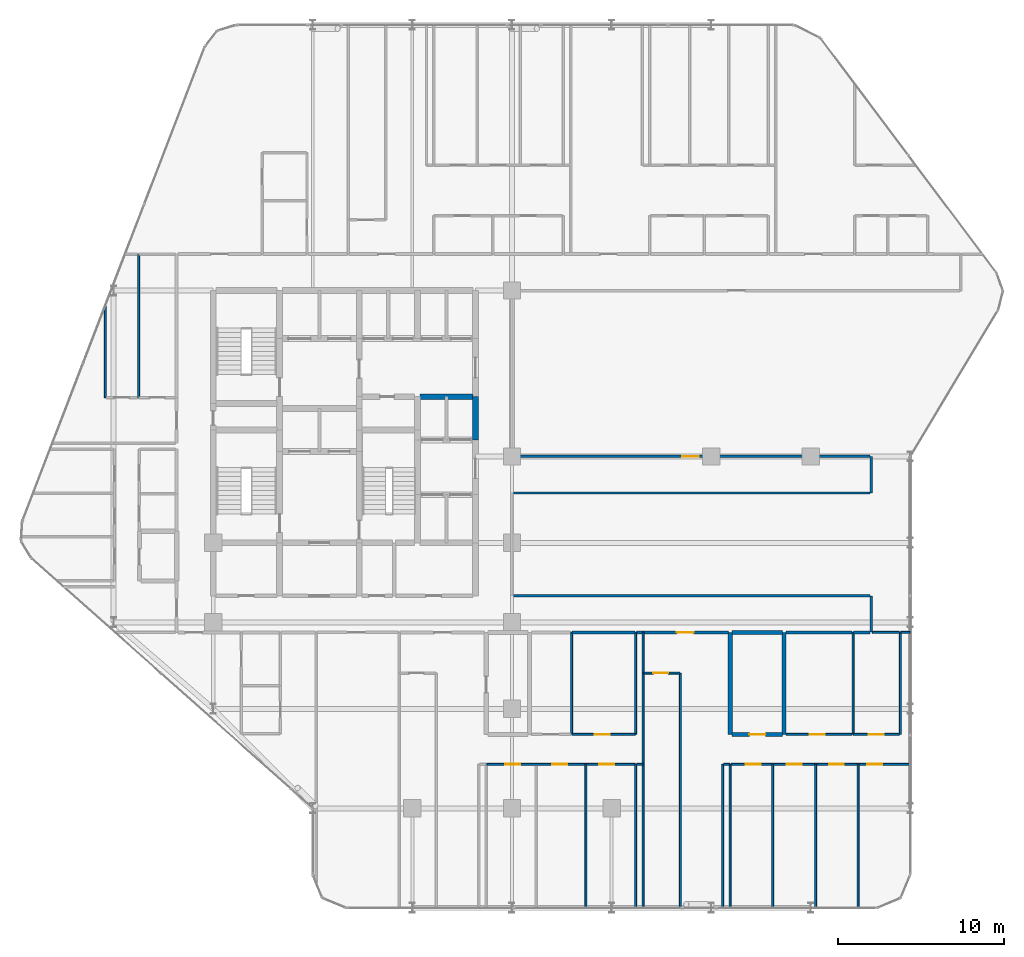
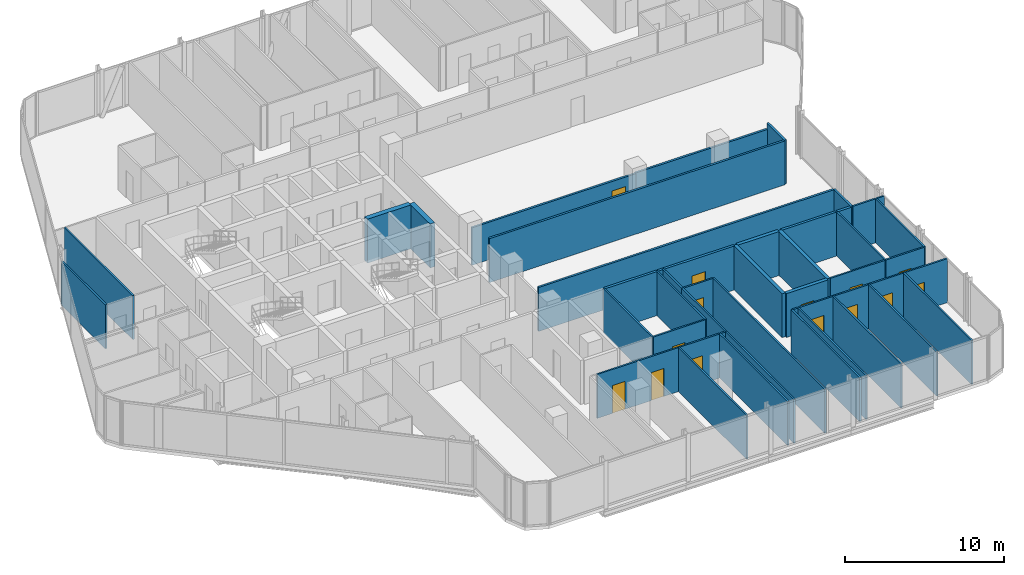
# One storey, part 25 of 29: 43 walls, 14 doors, 14 openings.
"""IFC4 building model written with IfcOpenShell, lengths in metres."""

from ifc_helpers import new_model, si_unit, direction, frame, frame_2d, origin, place, context, subcontext, project, spatial, rectangle, extrude, material, layer, layer_set, type_object, element, fill, save


model = new_model("IFC4")

# Units and contexts
model_context = context("Model", 3, precision=1e-05, world=origin(), true_north=direction((0.0, 1.0)))
body_context = subcontext(model_context, "Body", "Model", "MODEL_VIEW")
ifc_project = project(units=[si_unit("LENGTHUNIT", "METRE"), si_unit("AREAUNIT", "SQUARE_METRE"), si_unit("VOLUMEUNIT", "CUBIC_METRE"), si_unit("PLANEANGLEUNIT", "RADIAN"), si_unit("MASSUNIT", "GRAM", prefix="KILO")], contexts=[model_context])

# Site, building, storey
site_placement = place(None, origin())
site = spatial("IfcSite", under=ifc_project, at=site_placement, CompositionType="ELEMENT")
building_placement = place(site_placement, origin())
building = spatial("IfcBuilding", under=site, at=building_placement, Name="Keshet Zoharim Tower", CompositionType="ELEMENT")
storey_placement = place(building_placement, frame((0.0, 0.0, 105.699951171875)))
storey = spatial("IfcBuildingStorey", under=building, at=storey_placement, Name="L25", CompositionType="ELEMENT", Elevation=105.699951171875)

# Walls
ifc_material_1 = material(Name="Gypsum Plasterboard", Category="gypsum")
ifc_layer_1 = layer(ifc_material_1, 0.14990234375)
ifc_layer_set_1 = layer_set([ifc_layer_1], Name="Gypsum Plasterboard")
wall_type_1 = type_object("IfcWallType", Name="WL-CLIN-150", PredefinedType="STANDARD", material=ifc_layer_set_1)
wall_1_placement = place(storey_placement, frame((54.64990234375, 17.31005859375, 0.0), z_axis=(0.0, 0.0, 1.0), x_axis=(0.0, 1.0, 0.0)))
element("IfcWall", 1, at=wall_1_placement, inside=storey, type_object=wall_type_1, Name="L25 Interior Wall 105", PredefinedType="STANDARD", context=body_context, shape_type="SweptSolid", body=[
    extrude(rectangle(XDim=2.18994140625, YDim=0.14990234375, at=frame_2d((1.094970703125, 0.0))), origin(), (0.0, 0.0, 1.0), 3.385009765625),
])
wall_2_placement = place(storey_placement, frame((54.64990234375, 25.699951171875, 0.0), z_axis=(0.0, 0.0, 1.0), x_axis=(0.0, 1.0, 0.0)))
element("IfcWall", 2, at=wall_2_placement, inside=storey, type_object=wall_type_1, Name="L25 Interior Wall 106", PredefinedType="STANDARD", context=body_context, shape_type="SweptSolid", body=[
    extrude(rectangle(XDim=2.199951171875, YDim=0.14990234375, at=frame_2d((1.10009765625, 0.0))), origin(), (0.0, 0.0, 1.0), 3.385009765625),
])
for number, where, z_axis, x_axis, name in (
    (3, (33.070068359375, 19.5, 0.0), (0.0, 0.0, 1.0), (1.0, 0.0, 0.0), "L25 Interior Wall 145"),
    (4, (33.070068359375, 25.699951171875, 0.0), (0.0, 0.0, 1.0), (1.0, 0.0, 0.0), "L25 Interior Wall 159"),
):
    element("IfcWall", number, at=place(storey_placement, frame(where, z_axis=z_axis, x_axis=x_axis)), inside=storey, type_object=wall_type_1, Name=name, PredefinedType="STANDARD", context=body_context, shape_type="SweptSolid", body=[
        extrude(rectangle(XDim=21.510009765625, YDim=0.14990234375, at=frame_2d((10.7548828125, 0.0))), origin(), (0.0, 0.0, 1.0), 3.385009765625),
    ])

# Wall, opening, door
wall_3_placement = place(storey_placement, frame((33.070068359375, 27.89990234375, 0.0), z_axis=(0.0, 0.0, 1.0), x_axis=(1.0, 0.0, 0.0)))
wall_3 = element("IfcWall", 5, at=wall_3_placement, inside=storey, type_object=wall_type_1, Name="L25 Interior Wall 160", PredefinedType="STANDARD", context=body_context, shape_type="SweptSolid", body=[
    extrude(rectangle(XDim=11.929931640625, YDim=0.14990234375, at=frame_2d((5.96484375, 0.0))), origin(), (0.0, 0.0, 1.0), 2.885009765625),
])
opening_1_placement = place(wall_3_placement, frame((10.18505859375, 0.0, 0.0)))
opening_1 = element("IfcOpeningElement", 6, at=opening_1_placement, cuts=wall_3, Name="Opening D-F310", PredefinedType="OPENING", context=body_context, shape_type="SweptSolid", body=[
    extrude(rectangle(XDim=1.0, YDim=2.14990234375, at=frame_2d((0.5, 1.074951171875))), frame((0.0, 0.0849609375, 0.0), z_axis=(0.0, -1.0, 0.0), x_axis=(1.0, 0.0, 0.0)), (0.0, 0.0, 1.0), 0.169921875),
])
ifc_material_2 = material(Name="Hardwood Timber", Category="wood")
door_type_1 = type_object("IfcDoorType", Name="DR-FD30-100", OperationType="NOTDEFINED", PredefinedType="DOOR", material=ifc_material_2)
door_1_placement = place(opening_1_placement, origin())
door_1 = element("IfcDoor", 7, at=door_1_placement, inside=storey, type_object=door_type_1, Name="L25 North East Residents Services Suite Door 2", OperationType="SINGLE_SWING_LEFT", OverallHeight=2.14990234375, OverallWidth=1.0, PredefinedType="DOOR", context=body_context, shape_type="SweptSolid", body=[
    extrude(rectangle(XDim=1.0, YDim=2.14990234375, at=frame_2d((0.5, 1.074951171875))), frame((0.0, 0.02490234375, 0.0), z_axis=(0.0, -1.0, 0.0), x_axis=(1.0, 0.0, 0.0)), (0.0, 0.0, 1.0), 0.050048828125),
])
fill(opening_1, door_1)

# Walls
wall_4_placement = place(storey_placement, frame((45.0, 27.89990234375, 0.0), z_axis=(0.0, 0.0, 1.0), x_axis=(1.0, 0.0, 0.0)))
element("IfcWall", 8, at=wall_4_placement, inside=storey, type_object=wall_type_1, Name="L25 Interior Wall 160 Part 2", PredefinedType="STANDARD", context=body_context, shape_type="SweptSolid", body=[
    extrude(rectangle(XDim=9.580078125, YDim=0.14990234375, at=frame_2d((4.7900390625, 0.0))), origin(), (0.0, 0.0, 1.0), 2.93505859375),
])
ifc_material_3 = material(Name="Concrete C60/75", Category="concrete")
ifc_layer_2 = layer(ifc_material_3, 0.35009765625)
ifc_layer_set_2 = layer_set([ifc_layer_2], Name="Concrete C60/75")
wall_type_2 = type_object("IfcWallType", Name="WL-CORE-350", PredefinedType="SHEAR", material=ifc_layer_set_2)
wall_5_placement = place(storey_placement, frame((30.800048828125, 28.89990234375, 0.0), z_axis=(0.0, 0.0, 1.0), x_axis=(0.0, 1.0, 0.0)))
element("IfcWall", 9, at=wall_5_placement, inside=storey, type_object=wall_type_2, Name="L25 Core Shear Wall 062", PredefinedType="SHEAR", context=body_context, shape_type="SweptSolid", body=[
    extrude(rectangle(XDim=2.60009765625, YDim=0.35009765625, at=frame_2d((1.300048828125, 0.0))), origin(), (0.0, 0.0, 1.0), 3.385009765625),
])
wall_6_placement = place(storey_placement, frame((27.4599609375, 31.5, 0.0), z_axis=(0.0, 0.0, 1.0), x_axis=(1.0, 0.0, 0.0)))
element("IfcWall", 10, at=wall_6_placement, inside=storey, type_object=wall_type_2, Name="L25 Core Shear Wall 174", PredefinedType="SHEAR", context=body_context, shape_type="SweptSolid", body=[
    extrude(rectangle(XDim=3.179931640625, YDim=0.35009765625, at=frame_2d((1.58984375, 0.0))), origin(), (0.0, 0.0, 1.0), 3.385009765625),
])
ifc_layer_3 = layer(ifc_material_1, 0.179931640625)
ifc_layer_set_3 = layer_set([ifc_layer_3], Name="Gypsum Plasterboard")
wall_type_3 = type_object("IfcWallType", Name="WL-CORR-180", PredefinedType="STANDARD", material=ifc_layer_set_3)
wall_7_placement = place(storey_placement, frame((36.631103515625, 17.300048828125, 0.0), z_axis=(0.0, 0.0, 1.0), x_axis=(1.0, 0.0, 0.0)))
element("IfcWall", 11, at=wall_7_placement, inside=storey, type_object=wall_type_3, Name="L25 Interior Wall 134", PredefinedType="STANDARD", context=body_context, shape_type="SweptSolid", body=[
    extrude(rectangle(XDim=3.783935546875, YDim=0.179931640625, at=frame_2d((1.89208984375, 0.0))), origin(), (0.0, 0.0, 1.0), 3.385009765625),
])

# Wall, opening, door
wall_8_placement = place(storey_placement, frame((40.5048828125, 17.300048828125, 0.0), z_axis=(0.0, 0.0, 1.0), x_axis=(1.0, 0.0, 0.0)))
wall_8 = element("IfcWall", 12, at=wall_8_placement, inside=storey, type_object=wall_type_3, Name="L25 Interior Wall 135", PredefinedType="STANDARD", context=body_context, shape_type="SweptSolid", body=[
    extrude(rectangle(XDim=5.545166015625, YDim=0.179931640625, at=frame_2d((2.7724609375, 0.0))), origin(), (0.0, 0.0, 1.0), 3.385009765625),
])
opening_2_placement = place(wall_8_placement, frame((2.43505859375, 0.0, 0.0)))
opening_2 = element("IfcOpeningElement", 13, at=opening_2_placement, cuts=wall_8, Name="Opening D-F310", PredefinedType="OPENING", context=body_context, shape_type="SweptSolid", body=[
    extrude(rectangle(XDim=1.0, YDim=2.14990234375, at=frame_2d((0.5, 1.074951171875))), frame((0.0, 0.10009765625, 0.0), z_axis=(0.0, -1.0, 0.0), x_axis=(1.0, 0.0, 0.0)), (0.0, 0.0, 1.0), 0.199951171875),
])
door_2_placement = place(opening_2_placement, origin())
door_2 = element("IfcDoor", 14, at=door_2_placement, inside=storey, type_object=door_type_1, Name="Apartment 2503 Entrance Door", OperationType="SINGLE_SWING_LEFT", OverallHeight=2.14990234375, OverallWidth=1.0, PredefinedType="DOOR", context=body_context, shape_type="SweptSolid", body=[
    extrude(rectangle(XDim=1.0, YDim=2.14990234375, at=frame_2d((0.5, 1.074951171875))), frame((0.0, 0.02490234375, 0.0), z_axis=(0.0, -1.0, 0.0), x_axis=(1.0, 0.0, 0.0)), (0.0, 0.0, 1.0), 0.050048828125),
])
fill(opening_2, door_2)

# Walls
wall_9_placement = place(storey_placement, frame((49.52294921875, 17.300048828125, 0.0), z_axis=(0.0, 0.0, 1.0), x_axis=(1.0, 0.0, 0.0)))
element("IfcWall", 15, at=wall_9_placement, inside=storey, type_object=wall_type_3, Name="L25 Interior Wall 137", PredefinedType="STANDARD", context=body_context, shape_type="SweptSolid", body=[
    extrude(rectangle(XDim=3.9580078125, YDim=0.179931640625, at=frame_2d((1.97900390625, 0.0))), origin(), (0.0, 0.0, 1.0), 3.385009765625),
])
wall_10_placement = place(storey_placement, frame((53.571044921875, 17.300048828125, 0.0), z_axis=(0.0, 0.0, 1.0), x_axis=(1.0, 0.0, 0.0)))
element("IfcWall", 16, at=wall_10_placement, inside=storey, type_object=wall_type_3, Name="L25 Interior Wall 138", PredefinedType="STANDARD", context=body_context, shape_type="SweptSolid", body=[
    extrude(rectangle(XDim=1.009033203125, YDim=0.179931640625, at=frame_2d((0.50439453125, 0.0))), origin(), (0.0, 0.0, 1.0), 3.385009765625),
])
ifc_material_4 = material(Name="Concrete C50/60", Category="concrete")
ifc_layer_4 = layer(ifc_material_4, 0.25)
ifc_layer_set_4 = layer_set([ifc_layer_4], Name="Concrete C50/60")
wall_type_4 = type_object("IfcWallType", Name="WL-MAMAD-250", PredefinedType="STANDARD", material=ifc_layer_set_4)
for number, where, z_axis, x_axis, name in (
    (17, (46.14990234375, 11.14990234375, 0.0), (0.0, 0.0, 1.0), (0.0, 1.0, 0.0), "L25 Interior Wall 094"),
    (18, (49.39990234375, 11.14990234375, 0.0), (0.0, 0.0, 1.0), (0.0, 1.0, 0.0), "L25 Interior Wall 099"),
):
    element("IfcWall", number, at=place(storey_placement, frame(where, z_axis=z_axis, x_axis=x_axis)), inside=storey, type_object=wall_type_4, Name=name, PredefinedType="STANDARD", context=body_context, shape_type="SweptSolid", body=[
        extrude(rectangle(XDim=6.150146484375, YDim=0.25, at=frame_2d((3.0751953125, 0.0))), origin(), (0.0, 0.0, 1.0), 3.385009765625),
    ])

# Wall, opening, door
wall_11_placement = place(storey_placement, frame((46.27001953125, 11.14990234375, 0.0), z_axis=(0.0, 0.0, 1.0), x_axis=(1.0, 0.0, 0.0)))
wall_11 = element("IfcWall", 19, at=wall_11_placement, inside=storey, type_object=wall_type_4, Name="L25 Interior Wall 119", PredefinedType="STANDARD", context=body_context, shape_type="SweptSolid", body=[
    extrude(rectangle(XDim=3.032958984375, YDim=0.25, at=frame_2d((1.5166015625, 0.0))), origin(), (0.0, 0.0, 1.0), 3.385009765625),
])
opening_3_placement = place(wall_11_placement, frame((1.041015625, 0.0, 0.0)))
opening_3 = element("IfcOpeningElement", 20, at=opening_3_placement, cuts=wall_11, Name="Opening D-F695", PredefinedType="OPENING", context=body_context, shape_type="SweptSolid", body=[
    extrude(rectangle(XDim=0.949951171875, YDim=2.14990234375, at=frame_2d((0.47509765625, 1.074951171875))), frame((0.0, 0.135009765625, 0.0), z_axis=(0.0, -1.0, 0.0), x_axis=(1.0, 0.0, 0.0)), (0.0, 0.0, 1.0), 0.27001953125),
])
door_type_2 = type_object("IfcDoorType", Name="DR-FD60-095", OperationType="NOTDEFINED", PredefinedType="DOOR", material=ifc_material_2)
door_3_placement = place(opening_3_placement, origin())
door_3 = element("IfcDoor", 21, at=door_3_placement, inside=storey, type_object=door_type_2, Name="Apartment 2503 Study and Shelter Room Door", OperationType="SINGLE_SWING_LEFT", OverallHeight=2.14990234375, OverallWidth=0.949951171875, PredefinedType="DOOR", context=body_context, shape_type="SweptSolid", body=[
    extrude(rectangle(XDim=0.949951171875, YDim=2.14990234375, at=frame_2d((0.47509765625, 1.074951171875))), frame((0.0, 0.02490234375, 0.0), z_axis=(0.0, -1.0, 0.0), x_axis=(1.0, 0.0, 0.0)), (0.0, 0.0, 1.0), 0.050048828125),
])
fill(opening_3, door_3)

# Walls
wall_12_placement = place(storey_placement, frame((46.27001953125, 17.300048828125, 0.0), z_axis=(0.0, 0.0, 1.0), x_axis=(1.0, 0.0, 0.0)))
element("IfcWall", 22, at=wall_12_placement, inside=storey, type_object=wall_type_4, Name="L25 Interior Wall 136", PredefinedType="STANDARD", context=body_context, shape_type="SweptSolid", body=[
    extrude(rectangle(XDim=3.032958984375, YDim=0.25, at=frame_2d((1.5166015625, 0.0))), origin(), (0.0, 0.0, 1.0), 3.385009765625),
])
ifc_layer_5 = layer(ifc_material_1, 0.1201171875)
ifc_layer_set_5 = layer_set([ifc_layer_5], Name="Gypsum Plasterboard")
wall_type_5 = type_object("IfcWallType", Name="WL-PART-120", PredefinedType="PARTITIONING", material=ifc_layer_set_5)
wall_13_placement = place(storey_placement, frame((8.5, 31.449951171875, 0.0), z_axis=(0.0, 0.0, 1.0), x_axis=(0.0, 1.0, 0.0)))
element("IfcWall", 23, at=wall_13_placement, inside=storey, type_object=wall_type_5, Name="L25 Interior Wall 001", PredefinedType="PARTITIONING", context=body_context, shape_type="SweptSolid", body=[
    extrude(rectangle(XDim=5.5400390625, YDim=0.1201171875, at=frame_2d((2.77001953125, 0.0))), origin(), (0.0, 0.0, 1.0), 3.385009765625),
])
for number, where, z_axis, x_axis, name in (
    (24, (37.449951171875, 0.7099609375, 0.0), (0.0, 0.0, 1.0), (0.0, 1.0, 0.0), "L25 Interior Wall 079"),
    (25, (40.449951171875, 0.7099609375, 0.0), (0.0, 0.0, 1.0), (0.0, 1.0, 0.0), "L25 Interior Wall 080"),
):
    element("IfcWall", number, at=place(storey_placement, frame(where, z_axis=z_axis, x_axis=x_axis)), inside=storey, type_object=wall_type_5, Name=name, PredefinedType="PARTITIONING", context=body_context, shape_type="SweptSolid", body=[
        extrude(rectangle(XDim=8.64013671875, YDim=0.1201171875, at=frame_2d((4.320068359375, 0.0))), origin(), (0.0, 0.0, 1.0), 3.385009765625),
    ])
wall_14_placement = place(storey_placement, frame((40.449951171875, 11.14990234375, 0.0), z_axis=(0.0, 0.0, 1.0), x_axis=(0.0, 1.0, 0.0)))
element("IfcWall", 26, at=wall_14_placement, inside=storey, type_object=wall_type_5, Name="L25 Interior Wall 081", PredefinedType="PARTITIONING", context=body_context, shape_type="SweptSolid", body=[
    extrude(rectangle(XDim=6.150146484375, YDim=0.1201171875, at=frame_2d((3.0751953125, 0.0))), origin(), (0.0, 0.0, 1.0), 3.385009765625),
])
wall_15_placement = place(storey_placement, frame((40.89990234375, 0.7099609375, 0.0), z_axis=(0.0, 0.0, 1.0), x_axis=(0.0, 1.0, 0.0)))
element("IfcWall", 27, at=wall_15_placement, inside=storey, type_object=wall_type_5, Name="L25 Interior Wall 083", PredefinedType="PARTITIONING", context=body_context, shape_type="SweptSolid", body=[
    extrude(rectangle(XDim=8.64013671875, YDim=0.1201171875, at=frame_2d((4.320068359375, 0.0))), origin(), (0.0, 0.0, 1.0), 3.385009765625),
])
wall_16_placement = place(storey_placement, frame((40.89990234375, 9.35009765625, 0.0), z_axis=(0.0, 0.0, 1.0), x_axis=(0.0, 1.0, 0.0)))
element("IfcWall", 28, at=wall_16_placement, inside=storey, type_object=wall_type_5, Name="L25 Interior Wall 084", PredefinedType="PARTITIONING", context=body_context, shape_type="SweptSolid", body=[
    extrude(rectangle(XDim=5.5, YDim=0.1201171875, at=frame_2d((2.75, 0.0))), origin(), (0.0, 0.0, 1.0), 3.385009765625),
])
wall_17_placement = place(storey_placement, frame((40.89990234375, 14.85009765625, 0.0), z_axis=(0.0, 0.0, 1.0), x_axis=(0.0, 1.0, 0.0)))
element("IfcWall", 29, at=wall_17_placement, inside=storey, type_object=wall_type_5, Name="L25 Interior Wall 085", PredefinedType="PARTITIONING", context=body_context, shape_type="SweptSolid", body=[
    extrude(rectangle(XDim=2.449951171875, YDim=0.1201171875, at=frame_2d((1.22509765625, 0.0))), origin(), (0.0, 0.0, 1.0), 3.385009765625),
])
wall_18_placement = place(storey_placement, frame((43.14990234375, 0.7099609375, 0.0), z_axis=(0.0, 0.0, 1.0), x_axis=(0.0, 1.0, 0.0)))
element("IfcWall", 30, at=wall_18_placement, inside=storey, type_object=wall_type_5, Name="L25 Interior Wall 088", PredefinedType="PARTITIONING", context=body_context, shape_type="SweptSolid", body=[
    extrude(rectangle(XDim=14.14013671875, YDim=0.1201171875, at=frame_2d((7.070068359375, 0.0))), origin(), (0.0, 0.0, 1.0), 3.385009765625),
])
for number, where, z_axis, x_axis, name in (
    (31, (45.699951171875, 0.7099609375, 0.0), (0.0, 0.0, 1.0), (0.0, 1.0, 0.0), "L25 Interior Wall 091"),
    (32, (46.14990234375, 0.7099609375, 0.0), (0.0, 0.0, 1.0), (0.0, 1.0, 0.0), "L25 Interior Wall 093"),
    (33, (48.699951171875, 0.7099609375, 0.0), (0.0, 0.0, 1.0), (0.0, 1.0, 0.0), "L25 Interior Wall 097"),
    (34, (51.300048828125, 0.7099609375, 0.0), (0.0, 0.0, 1.0), (0.0, 1.0, 0.0), "L25 Interior Wall 100"),
    (35, (53.85009765625, 0.7099609375, 0.0), (0.0, 0.0, 1.0), (0.0, 1.0, 0.0), "L25 Interior Wall 104"),
):
    element("IfcWall", number, at=place(storey_placement, frame(where, z_axis=z_axis, x_axis=x_axis)), inside=storey, type_object=wall_type_5, Name=name, PredefinedType="PARTITIONING", context=body_context, shape_type="SweptSolid", body=[
        extrude(rectangle(XDim=8.64013671875, YDim=0.1201171875, at=frame_2d((4.320068359375, 0.0))), origin(), (0.0, 0.0, 1.0), 3.385009765625),
    ])

# Wall, openings, doors
wall_19_placement = place(storey_placement, frame((31.4951171875, 9.35009765625, 0.0), z_axis=(0.0, 0.0, 1.0), x_axis=(1.0, 0.0, 0.0)))
wall_19 = element("IfcWall", 36, at=wall_19_placement, inside=storey, type_object=wall_type_5, Name="L25 Interior Wall 112", PredefinedType="PARTITIONING", context=body_context, shape_type="SweptSolid", body=[
    extrude(rectangle(XDim=8.919921875, YDim=0.1201171875, at=frame_2d((4.4599609375, 0.0))), origin(), (0.0, 0.0, 1.0), 3.385009765625),
])
opening_4_placement = place(wall_19_placement, frame((1.111083984375, 0.0, 0.0)))
opening_4 = element("IfcOpeningElement", 37, at=opening_4_placement, cuts=wall_19, Name="Opening D-IN90", PredefinedType="OPENING", context=body_context, shape_type="SweptSolid", body=[
    extrude(rectangle(XDim=0.89990234375, YDim=2.14990234375, at=frame_2d((0.449951171875, 1.074951171875))), frame((0.0, 0.070068359375, 0.0), z_axis=(0.0, -1.0, 0.0), x_axis=(1.0, 0.0, 0.0)), (0.0, 0.0, 1.0), 0.14013671875),
])
opening_5_placement = place(wall_19_placement, frame((3.93701171875, 0.0, 0.0)))
opening_5 = element("IfcOpeningElement", 38, at=opening_5_placement, cuts=wall_19, Name="Opening D-IN90", PredefinedType="OPENING", context=body_context, shape_type="SweptSolid", body=[
    extrude(rectangle(XDim=0.89990234375, YDim=2.14990234375, at=frame_2d((0.449951171875, 1.074951171875))), frame((0.0, 0.070068359375, 0.0), z_axis=(0.0, -1.0, 0.0), x_axis=(1.0, 0.0, 0.0)), (0.0, 0.0, 1.0), 0.14013671875),
])
opening_6_placement = place(wall_19_placement, frame((6.76806640625, 0.0, 0.0)))
opening_6 = element("IfcOpeningElement", 39, at=opening_6_placement, cuts=wall_19, Name="Opening D-IN90", PredefinedType="OPENING", context=body_context, shape_type="SweptSolid", body=[
    extrude(rectangle(XDim=0.89990234375, YDim=2.14990234375, at=frame_2d((0.449951171875, 1.074951171875))), frame((0.0, 0.070068359375, 0.0), z_axis=(0.0, -1.0, 0.0), x_axis=(1.0, 0.0, 0.0)), (0.0, 0.0, 1.0), 0.14013671875),
])
door_type_3 = type_object("IfcDoorType", Name="DR-INT-090", OperationType="NOTDEFINED", PredefinedType="DOOR", material=ifc_material_2)
door_4_placement = place(opening_4_placement, origin())
door_4 = element("IfcDoor", 40, at=door_4_placement, inside=storey, type_object=door_type_3, Name="Apartment 2502 Bedroom 1 Door", OperationType="SINGLE_SWING_RIGHT", OverallHeight=2.14990234375, OverallWidth=0.89990234375, PredefinedType="DOOR", context=body_context, shape_type="SweptSolid", body=[
    extrude(rectangle(XDim=0.89990234375, YDim=2.14990234375, at=frame_2d((0.449951171875, 1.074951171875))), frame((0.0, 0.02490234375, 0.0), z_axis=(0.0, -1.0, 0.0), x_axis=(1.0, 0.0, 0.0)), (0.0, 0.0, 1.0), 0.050048828125),
])
fill(opening_4, door_4)
door_5_placement = place(opening_5_placement, origin())
door_5 = element("IfcDoor", 41, at=door_5_placement, inside=storey, type_object=door_type_3, Name="Apartment 2502 Bedroom 2 Door", OperationType="SINGLE_SWING_LEFT", OverallHeight=2.14990234375, OverallWidth=0.89990234375, PredefinedType="DOOR", context=body_context, shape_type="SweptSolid", body=[
    extrude(rectangle(XDim=0.89990234375, YDim=2.14990234375, at=frame_2d((0.449951171875, 1.074951171875))), frame((0.0, 0.02490234375, 0.0), z_axis=(0.0, -1.0, 0.0), x_axis=(1.0, 0.0, 0.0)), (0.0, 0.0, 1.0), 0.050048828125),
])
fill(opening_5, door_5)
door_6_placement = place(opening_6_placement, origin())
door_6 = element("IfcDoor", 42, at=door_6_placement, inside=storey, type_object=door_type_3, Name="Apartment 2502 Bedroom 3 Door", OperationType="SINGLE_SWING_RIGHT", OverallHeight=2.14990234375, OverallWidth=0.89990234375, PredefinedType="DOOR", context=body_context, shape_type="SweptSolid", body=[
    extrude(rectangle(XDim=0.89990234375, YDim=2.14990234375, at=frame_2d((0.449951171875, 1.074951171875))), frame((0.0, 0.02490234375, 0.0), z_axis=(0.0, -1.0, 0.0), x_axis=(1.0, 0.0, 0.0)), (0.0, 0.0, 1.0), 0.050048828125),
])
fill(opening_6, door_6)

# Walls
for number, where, z_axis, x_axis, name in (
    (43, (40.5048828125, 9.35009765625, 0.0), (0.0, 0.0, 1.0), (1.0, 0.0, 0.0), "L25 Interior Wall 113"),
    (44, (45.7548828125, 9.35009765625, 0.0), (0.0, 0.0, 1.0), (1.0, 0.0, 0.0), "L25 Interior Wall 114"),
):
    element("IfcWall", number, at=place(storey_placement, frame(where, z_axis=z_axis, x_axis=x_axis)), inside=storey, type_object=wall_type_5, Name=name, PredefinedType="PARTITIONING", context=body_context, shape_type="SweptSolid", body=[
        extrude(rectangle(XDim=0.360107421875, YDim=0.1201171875, at=frame_2d((0.18017578125, 0.0))), origin(), (0.0, 0.0, 1.0), 3.385009765625),
    ])

# Wall, openings, doors
wall_20_placement = place(storey_placement, frame((46.205078125, 9.35009765625, 0.0), z_axis=(0.0, 0.0, 1.0), x_axis=(1.0, 0.0, 0.0)))
wall_20 = element("IfcWall", 45, at=wall_20_placement, inside=storey, type_object=wall_type_5, Name="L25 Interior Wall 115", PredefinedType="PARTITIONING", context=body_context, shape_type="SweptSolid", body=[
    extrude(rectangle(XDim=10.784912109375, YDim=0.1201171875, at=frame_2d((5.392578125, 0.0))), origin(), (0.0, 0.0, 1.0), 3.385009765625),
])
opening_7_placement = place(wall_20_placement, frame((0.882080078125, 0.0, 0.0)))
opening_7 = element("IfcOpeningElement", 46, at=opening_7_placement, cuts=wall_20, Name="Opening D-IN90", PredefinedType="OPENING", context=body_context, shape_type="SweptSolid", body=[
    extrude(rectangle(XDim=0.89990234375, YDim=2.14990234375, at=frame_2d((0.449951171875, 1.074951171875))), frame((0.0, 0.070068359375, 0.0), z_axis=(0.0, -1.0, 0.0), x_axis=(1.0, 0.0, 0.0)), (0.0, 0.0, 1.0), 0.14013671875),
])
opening_8_placement = place(wall_20_placement, frame((3.342041015625, 0.0, 0.0)))
opening_8 = element("IfcOpeningElement", 47, at=opening_8_placement, cuts=wall_20, Name="Opening D-IN90", PredefinedType="OPENING", context=body_context, shape_type="SweptSolid", body=[
    extrude(rectangle(XDim=0.89990234375, YDim=2.14990234375, at=frame_2d((0.449951171875, 1.074951171875))), frame((0.0, 0.070068359375, 0.0), z_axis=(0.0, -1.0, 0.0), x_axis=(1.0, 0.0, 0.0)), (0.0, 0.0, 1.0), 0.14013671875),
])
opening_9_placement = place(wall_20_placement, frame((5.89794921875, 0.0, 0.0)))
opening_9 = element("IfcOpeningElement", 48, at=opening_9_placement, cuts=wall_20, Name="Opening D-IN90", PredefinedType="OPENING", context=body_context, shape_type="SweptSolid", body=[
    extrude(rectangle(XDim=0.89990234375, YDim=2.14990234375, at=frame_2d((0.449951171875, 1.074951171875))), frame((0.0, 0.070068359375, 0.0), z_axis=(0.0, -1.0, 0.0), x_axis=(1.0, 0.0, 0.0)), (0.0, 0.0, 1.0), 0.14013671875),
])
opening_10_placement = place(wall_20_placement, frame((8.2041015625, 0.0, 0.0)))
opening_10 = element("IfcOpeningElement", 49, at=opening_10_placement, cuts=wall_20, Name="Opening D-IN90", PredefinedType="OPENING", context=body_context, shape_type="SweptSolid", body=[
    extrude(rectangle(XDim=0.89990234375, YDim=2.14990234375, at=frame_2d((0.449951171875, 1.074951171875))), frame((0.0, 0.070068359375, 0.0), z_axis=(0.0, -1.0, 0.0), x_axis=(1.0, 0.0, 0.0)), (0.0, 0.0, 1.0), 0.14013671875),
])
door_7_placement = place(opening_7_placement, origin())
door_7 = element("IfcDoor", 50, at=door_7_placement, inside=storey, type_object=door_type_3, Name="Apartment 2503 Bedroom 1 Door", OperationType="SINGLE_SWING_LEFT", OverallHeight=2.14990234375, OverallWidth=0.89990234375, PredefinedType="DOOR", context=body_context, shape_type="SweptSolid", body=[
    extrude(rectangle(XDim=0.89990234375, YDim=2.14990234375, at=frame_2d((0.449951171875, 1.074951171875))), frame((0.0, 0.02490234375, 0.0), z_axis=(0.0, -1.0, 0.0), x_axis=(1.0, 0.0, 0.0)), (0.0, 0.0, 1.0), 0.050048828125),
])
fill(opening_7, door_7)
door_8_placement = place(opening_8_placement, origin())
door_8 = element("IfcDoor", 51, at=door_8_placement, inside=storey, type_object=door_type_3, Name="Apartment 2503 Bedroom 2 Door", OperationType="SINGLE_SWING_RIGHT", OverallHeight=2.14990234375, OverallWidth=0.89990234375, PredefinedType="DOOR", context=body_context, shape_type="SweptSolid", body=[
    extrude(rectangle(XDim=0.89990234375, YDim=2.14990234375, at=frame_2d((0.449951171875, 1.074951171875))), frame((0.0, 0.02490234375, 0.0), z_axis=(0.0, -1.0, 0.0), x_axis=(1.0, 0.0, 0.0)), (0.0, 0.0, 1.0), 0.050048828125),
])
fill(opening_8, door_8)
door_9_placement = place(opening_9_placement, origin())
door_9 = element("IfcDoor", 52, at=door_9_placement, inside=storey, type_object=door_type_3, Name="Apartment 2503 Bedroom 3 Door", OperationType="SINGLE_SWING_LEFT", OverallHeight=2.14990234375, OverallWidth=0.89990234375, PredefinedType="DOOR", context=body_context, shape_type="SweptSolid", body=[
    extrude(rectangle(XDim=0.89990234375, YDim=2.14990234375, at=frame_2d((0.449951171875, 1.074951171875))), frame((0.0, 0.02490234375, 0.0), z_axis=(0.0, -1.0, 0.0), x_axis=(1.0, 0.0, 0.0)), (0.0, 0.0, 1.0), 0.050048828125),
])
fill(opening_9, door_9)
door_10_placement = place(opening_10_placement, origin())
door_10 = element("IfcDoor", 53, at=door_10_placement, inside=storey, type_object=door_type_3, Name="Apartment 2503 Bedroom 4 Door", OperationType="SINGLE_SWING_RIGHT", OverallHeight=2.14990234375, OverallWidth=0.89990234375, PredefinedType="DOOR", context=body_context, shape_type="SweptSolid", body=[
    extrude(rectangle(XDim=0.89990234375, YDim=2.14990234375, at=frame_2d((0.449951171875, 1.074951171875))), frame((0.0, 0.02490234375, 0.0), z_axis=(0.0, -1.0, 0.0), x_axis=(1.0, 0.0, 0.0)), (0.0, 0.0, 1.0), 0.050048828125),
])
fill(opening_10, door_10)

# Wall, opening, door
wall_21_placement = place(storey_placement, frame((36.631103515625, 11.14990234375, 0.0), z_axis=(0.0, 0.0, 1.0), x_axis=(1.0, 0.0, 0.0)))
wall_21 = element("IfcWall", 54, at=wall_21_placement, inside=storey, type_object=wall_type_5, Name="L25 Interior Wall 118", PredefinedType="PARTITIONING", context=body_context, shape_type="SweptSolid", body=[
    extrude(rectangle(XDim=3.783935546875, YDim=0.1201171875, at=frame_2d((1.89208984375, 0.0))), origin(), (0.0, 0.0, 1.0), 3.385009765625),
])
opening_11_placement = place(wall_21_placement, frame((1.3701171875, 0.0, 0.0)))
opening_11 = element("IfcOpeningElement", 55, at=opening_11_placement, cuts=wall_21, Name="Opening D-IN90", PredefinedType="OPENING", context=body_context, shape_type="SweptSolid", body=[
    extrude(rectangle(XDim=0.89990234375, YDim=2.14990234375, at=frame_2d((0.449951171875, 1.074951171875))), frame((0.0, 0.070068359375, 0.0), z_axis=(0.0, -1.0, 0.0), x_axis=(1.0, 0.0, 0.0)), (0.0, 0.0, 1.0), 0.14013671875),
])
door_11_placement = place(opening_11_placement, origin())
door_11 = element("IfcDoor", 56, at=door_11_placement, inside=storey, type_object=door_type_3, Name="Apartment 2502 Kitchen Door", OperationType="SINGLE_SWING_RIGHT", OverallHeight=2.14990234375, OverallWidth=0.89990234375, PredefinedType="DOOR", context=body_context, shape_type="SweptSolid", body=[
    extrude(rectangle(XDim=0.89990234375, YDim=2.14990234375, at=frame_2d((0.449951171875, 1.074951171875))), frame((0.0, 0.02490234375, 0.0), z_axis=(0.0, -1.0, 0.0), x_axis=(1.0, 0.0, 0.0)), (0.0, 0.0, 1.0), 0.050048828125),
])
fill(opening_11, door_11)

wall_22_placement = place(storey_placement, frame((49.52294921875, 11.14990234375, 0.0), z_axis=(0.0, 0.0, 1.0), x_axis=(1.0, 0.0, 0.0)))
wall_22 = element("IfcWall", 57, at=wall_22_placement, inside=storey, type_object=wall_type_5, Name="L25 Interior Wall 120", PredefinedType="PARTITIONING", context=body_context, shape_type="SweptSolid", body=[
    extrude(rectangle(XDim=3.9580078125, YDim=0.1201171875, at=frame_2d((1.97900390625, 0.0))), origin(), (0.0, 0.0, 1.0), 3.385009765625),
])
opening_12_placement = place(wall_22_placement, frame((1.425048828125, 0.0, 0.0)))
opening_12 = element("IfcOpeningElement", 58, at=opening_12_placement, cuts=wall_22, Name="Opening D-IN90", PredefinedType="OPENING", context=body_context, shape_type="SweptSolid", body=[
    extrude(rectangle(XDim=0.89990234375, YDim=2.14990234375, at=frame_2d((0.449951171875, 1.074951171875))), frame((0.0, 0.070068359375, 0.0), z_axis=(0.0, -1.0, 0.0), x_axis=(1.0, 0.0, 0.0)), (0.0, 0.0, 1.0), 0.14013671875),
])
door_12_placement = place(opening_12_placement, origin())
door_12 = element("IfcDoor", 59, at=door_12_placement, inside=storey, type_object=door_type_3, Name="Apartment 2503 Kitchen Door", OperationType="SINGLE_SWING_RIGHT", OverallHeight=2.14990234375, OverallWidth=0.89990234375, PredefinedType="DOOR", context=body_context, shape_type="SweptSolid", body=[
    extrude(rectangle(XDim=0.89990234375, YDim=2.14990234375, at=frame_2d((0.449951171875, 1.074951171875))), frame((0.0, 0.02490234375, 0.0), z_axis=(0.0, -1.0, 0.0), x_axis=(1.0, 0.0, 0.0)), (0.0, 0.0, 1.0), 0.050048828125),
])
fill(opening_12, door_12)

wall_23_placement = place(storey_placement, frame((40.955078125, 14.85009765625, 0.0), z_axis=(0.0, 0.0, 1.0), x_axis=(1.0, 0.0, 0.0)))
wall_23 = element("IfcWall", 60, at=wall_23_placement, inside=storey, type_object=wall_type_5, Name="L25 Interior Wall 125", PredefinedType="PARTITIONING", context=body_context, shape_type="SweptSolid", body=[
    extrude(rectangle(XDim=2.159912109375, YDim=0.1201171875, at=frame_2d((1.080078125, 0.0))), origin(), (0.0, 0.0, 1.0), 3.385009765625),
])
opening_13_placement = place(wall_23_placement, frame((0.552978515625, 0.0, 0.0)))
opening_13 = element("IfcOpeningElement", 61, at=opening_13_placement, cuts=wall_23, Name="Opening D-IN90", PredefinedType="OPENING", context=body_context, shape_type="SweptSolid", body=[
    extrude(rectangle(XDim=0.89990234375, YDim=2.14990234375, at=frame_2d((0.449951171875, 1.074951171875))), frame((0.0, 0.070068359375, 0.0), z_axis=(0.0, -1.0, 0.0), x_axis=(1.0, 0.0, 0.0)), (0.0, 0.0, 1.0), 0.14013671875),
])
door_13_placement = place(opening_13_placement, origin())
door_13 = element("IfcDoor", 62, at=door_13_placement, inside=storey, type_object=door_type_3, Name="Apartment 2503 Formal Dining Room Door", OperationType="SINGLE_SWING_LEFT", OverallHeight=2.14990234375, OverallWidth=0.89990234375, PredefinedType="DOOR", context=body_context, shape_type="SweptSolid", body=[
    extrude(rectangle(XDim=0.89990234375, YDim=2.14990234375, at=frame_2d((0.449951171875, 1.074951171875))), frame((0.0, 0.02490234375, 0.0), z_axis=(0.0, -1.0, 0.0), x_axis=(1.0, 0.0, 0.0)), (0.0, 0.0, 1.0), 0.050048828125),
])
fill(opening_13, door_13)

# Walls
wall_24_placement = place(storey_placement, frame((56.43505859375, 17.300048828125, 0.0), z_axis=(0.0, 0.0, 1.0), x_axis=(1.0, 0.0, 0.0)))
element("IfcWall", 63, at=wall_24_placement, inside=storey, type_object=wall_type_5, Name="L25 Interior Wall 140", PredefinedType="PARTITIONING", context=body_context, shape_type="SweptSolid", body=[
    extrude(rectangle(XDim=0.554931640625, YDim=0.1201171875, at=frame_2d((0.27734375, 0.0))), origin(), (0.0, 0.0, 1.0), 3.385009765625),
])
ifc_layer_6 = layer(ifc_material_1, 0.1201171875)
ifc_layer_set_6 = layer_set([ifc_layer_6], Name="Gypsum Plasterboard")
wall_type_6 = type_object("IfcWallType", Name="WL-WET-120", PredefinedType="PARTITIONING", material=ifc_layer_set_6)
wall_25_placement = place(storey_placement, frame((10.5, 31.449951171875, 0.0), z_axis=(0.0, 0.0, 1.0), x_axis=(0.0, 1.0, 0.0)))
element("IfcWall", 64, at=wall_25_placement, inside=storey, type_object=wall_type_6, Name="L25 Interior Wall 003", PredefinedType="PARTITIONING", context=body_context, shape_type="SweptSolid", body=[
    extrude(rectangle(XDim=8.650146484375, YDim=0.1201171875, at=frame_2d((4.3251953125, 0.0))), origin(), (0.0, 0.0, 1.0), 3.385009765625),
])
for number, where, z_axis, x_axis, name in (
    (65, (36.60009765625, 11.14990234375, 0.0), (0.0, 0.0, 1.0), (0.0, 1.0, 0.0), "L25 Interior Wall 078"),
    (66, (53.550048828125, 11.14990234375, 0.0), (0.0, 0.0, 1.0), (0.0, 1.0, 0.0), "L25 Interior Wall 101"),
    (67, (56.39990234375, 11.14990234375, 0.0), (0.0, 0.0, 1.0), (0.0, 1.0, 0.0), "L25 Interior Wall 108"),
):
    element("IfcWall", number, at=place(storey_placement, frame(where, z_axis=z_axis, x_axis=x_axis)), inside=storey, type_object=wall_type_6, Name=name, PredefinedType="PARTITIONING", context=body_context, shape_type="SweptSolid", body=[
        extrude(rectangle(XDim=6.150146484375, YDim=0.1201171875, at=frame_2d((3.0751953125, 0.0))), origin(), (0.0, 0.0, 1.0), 3.385009765625),
    ])

# Wall, opening, door
wall_26_placement = place(storey_placement, frame((53.571044921875, 11.14990234375, 0.0), z_axis=(0.0, 0.0, 1.0), x_axis=(1.0, 0.0, 0.0)))
wall_26 = element("IfcWall", 68, at=wall_26_placement, inside=storey, type_object=wall_type_6, Name="L25 Interior Wall 121", PredefinedType="PARTITIONING", context=body_context, shape_type="SweptSolid", body=[
    extrude(rectangle(XDim=2.77392578125, YDim=0.1201171875, at=frame_2d((1.386962890625, 0.0))), origin(), (0.0, 0.0, 1.0), 3.385009765625),
])
opening_14_placement = place(wall_26_placement, frame((0.93701171875, 0.0, 0.0)))
opening_14 = element("IfcOpeningElement", 69, at=opening_14_placement, cuts=wall_26, Name="Opening D-WT90", PredefinedType="OPENING", context=body_context, shape_type="SweptSolid", body=[
    extrude(rectangle(XDim=0.89990234375, YDim=2.10009765625, at=frame_2d((0.449951171875, 1.050048828125))), frame((0.0, 0.070068359375, 0.0), z_axis=(0.0, -1.0, 0.0), x_axis=(1.0, 0.0, 0.0)), (0.0, 0.0, 1.0), 0.14013671875),
])
door_type_4 = type_object("IfcDoorType", Name="DR-WET-090", OperationType="NOTDEFINED", PredefinedType="DOOR", material=ifc_material_2)
door_14_placement = place(opening_14_placement, origin())
door_14 = element("IfcDoor", 70, at=door_14_placement, inside=storey, type_object=door_type_4, Name="Apartment 2503 Bathroom Door", OperationType="SINGLE_SWING_LEFT", OverallHeight=2.10009765625, OverallWidth=0.89990234375, PredefinedType="DOOR", context=body_context, shape_type="SweptSolid", body=[
    extrude(rectangle(XDim=0.89990234375, YDim=2.10009765625, at=frame_2d((0.449951171875, 1.050048828125))), frame((0.0, 0.02490234375, 0.0), z_axis=(0.0, -1.0, 0.0), x_axis=(1.0, 0.0, 0.0)), (0.0, 0.0, 1.0), 0.050048828125),
])
fill(opening_14, door_14)

# Wall
wall_27_placement = place(storey_placement, frame((54.7099609375, 17.300048828125, 0.0), z_axis=(0.0, 0.0, 1.0), x_axis=(1.0, 0.0, 0.0)))
element("IfcWall", 71, at=wall_27_placement, inside=storey, type_object=wall_type_6, Name="L25 Interior Wall 139", PredefinedType="PARTITIONING", context=body_context, shape_type="SweptSolid", body=[
    extrude(rectangle(XDim=1.635009765625, YDim=0.1201171875, at=frame_2d((0.8173828125, 0.0))), origin(), (0.0, 0.0, 1.0), 3.385009765625),
])

save(model, "model.ifc")
